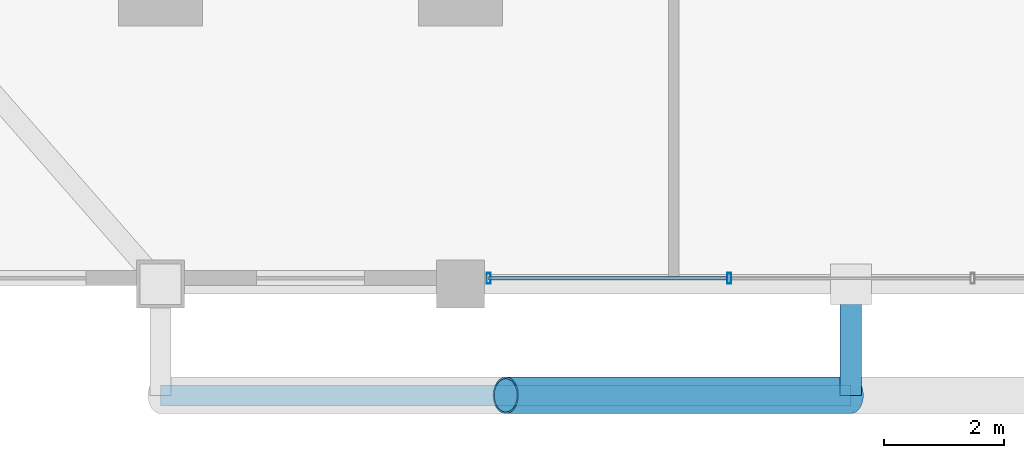
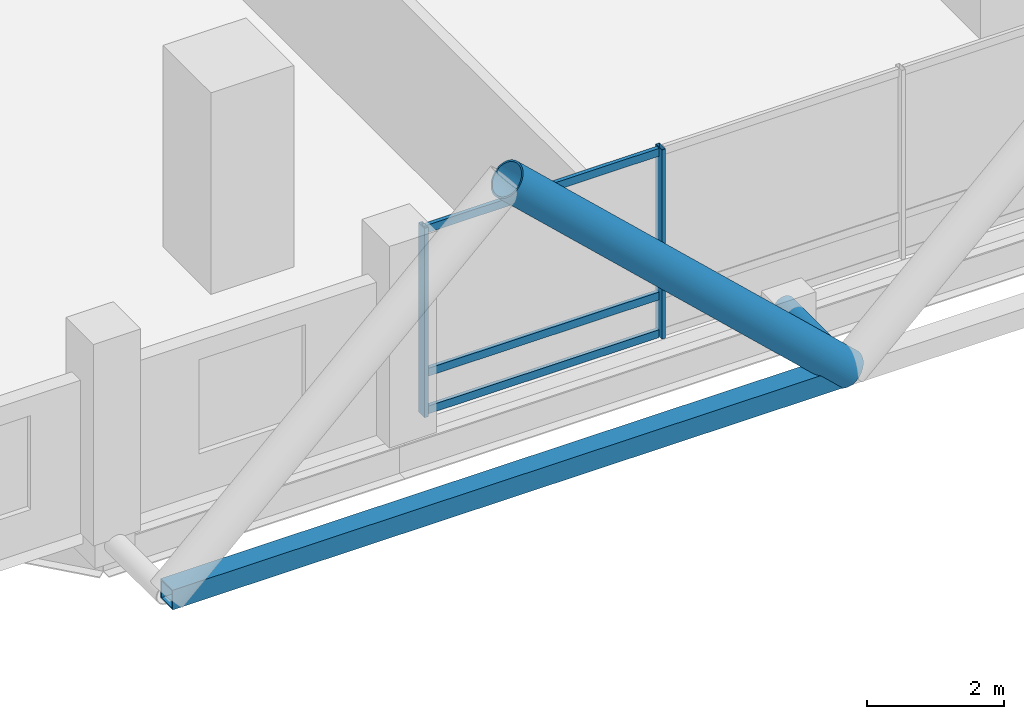
# One storey, part 2 of 26: 8 members, 1 element without a shape of its own.
"""IFC4 building model written with IfcOpenShell, lengths in metres."""

from ifc_helpers import new_model, si_unit, direction, frame, origin, origin_2d, place, context, subcontext, project, spatial, hollow_rectangle, hollow_circle, extrude, material, layer, layer_set, material_profile, profile_set, type_object, element, aggregate, save


model = new_model("IFC4")

# Units and contexts
model_context = context("Model", 3, precision=1e-05, world=origin(), true_north=direction((0.0, 1.0)))
body_context = subcontext(model_context, "Body", "Model", "MODEL_VIEW")
ifc_project = project(units=[si_unit("LENGTHUNIT", "METRE"), si_unit("AREAUNIT", "SQUARE_METRE"), si_unit("VOLUMEUNIT", "CUBIC_METRE"), si_unit("PLANEANGLEUNIT", "RADIAN"), si_unit("MASSUNIT", "GRAM", prefix="KILO")], contexts=[model_context])

# Site, building, storey
site_placement = place(None, origin())
site = spatial("IfcSite", under=ifc_project, at=site_placement, CompositionType="ELEMENT")
building_placement = place(site_placement, origin())
building = spatial("IfcBuilding", under=site, at=building_placement, Name="Barlavira Tower and Art Museum", CompositionType="ELEMENT")
storey_placement = place(building_placement, frame((0.0, 0.0, 82.800048828125)))
storey = spatial("IfcBuildingStorey", under=building, at=storey_placement, Name="L20", CompositionType="ELEMENT", Elevation=82.800048828125)

# Curtain wall, members
ifc_material_1 = material(Name="Low-iron coastal laminated glass", Category="glass")
ifc_layer = layer(ifc_material_1, 0.179931640625, Name="Low-iron coastal laminated glass")
ifc_layer_set = layer_set([ifc_layer], Name="Low-iron coastal laminated glass")
curtain_wall_type = type_object("IfcCurtainWallType", Name="Pale-Metal Unitised Curtain Wall Zone 1", PredefinedType="NOTDEFINED", material=ifc_layer_set)
curtain_wall_placement = place(storey_placement, origin())
curtain_wall = element("IfcCurtainWall", 1, at=curtain_wall_placement, inside=storey, type_object=curtain_wall_type, Name="L20 Curtain Wall CW1-L20-S-B3", PredefinedType="NOTDEFINED")
ifc_material_2 = material(Name="Pale anodised aluminium", Category="aluminium")
ifc_material_profile_1 = material_profile(ifc_material_2, hollow_rectangle(XDim=0.06494140625, YDim=0.179931640625, WallThickness=0.00390625, at=origin_2d()), Name="ALU-MULL 65x180x4")
ifc_profile_set_1 = profile_set([ifc_material_profile_1], Name="Pale anodised aluminium")
member_type_1 = type_object("IfcMemberType", Name="Curtain Wall Pale-Metal Mullion 65x180", PredefinedType="MULLION", material=ifc_profile_set_1)
member_1_placement = place(storey_placement, frame((-6.034912109375, -24.89990234375, 0.0), z_axis=(0.0, 0.0, 1.0), x_axis=(1.0, 0.0, 0.0)))
member_1 = element("IfcMember", 2, at=member_1_placement, type_object=member_type_1, Name="CW1-L20-S-B3 Mullion 0", PredefinedType="MULLION", context=body_context, shape_type="SweptSolid", body=[
    extrude(hollow_rectangle(XDim=0.06494140625, YDim=0.179931640625, WallThickness=0.00390625, at=origin_2d()), origin(), (0.0, 0.0, 1.0), 3.3798828125),
])
member_2_placement = place(storey_placement, frame((-2.026611328125, -24.89990234375, 0.0), z_axis=(0.0, 0.0, 1.0), x_axis=(1.0, 0.0, 0.0)))
member_2 = element("IfcMember", 3, at=member_2_placement, type_object=member_type_1, Name="CW1-L20-S-B3 Mullion 1", PredefinedType="MULLION", context=body_context, shape_type="SweptSolid", body=[
    extrude(hollow_rectangle(XDim=0.06494140625, YDim=0.179931640625, WallThickness=0.00390625, at=origin_2d()), origin(), (0.0, 0.0, 1.0), 3.3798828125),
])
ifc_material_profile_2 = material_profile(ifc_material_2, hollow_rectangle(XDim=0.06494140625, YDim=0.139892578125, WallThickness=0.00390625, at=origin_2d()), Name="ALU-TRAN 65x140x4")
ifc_profile_set_2 = profile_set([ifc_material_profile_2], Name="Pale anodised aluminium")
member_type_2 = type_object("IfcMemberType", Name="Curtain Wall Pale-Metal Transom 65x140", PredefinedType="USERDEFINED", material=ifc_profile_set_2)
member_3_placement = place(storey_placement, frame((-6.034912109375, -24.89990234375, 0.070068359375), z_axis=(1.0, 0.0, 0.0), x_axis=(0.0, 1.0, 0.0)))
member_3 = element("IfcMember", 4, at=member_3_placement, type_object=member_type_2, Name="CW1-L20-S-B3 Transom 0.1", ObjectType="TRANSOM", PredefinedType="USERDEFINED", context=body_context, shape_type="SweptSolid", body=[
    extrude(hollow_rectangle(XDim=0.06494140625, YDim=0.139892578125, WallThickness=0.00390625, at=origin_2d()), origin(), (0.0, 0.0, 1.0), 3.963134765625),
])
member_4_placement = place(storey_placement, frame((-6.034912109375, -24.89990234375, 0.743896484375), z_axis=(1.0, 0.0, 0.0), x_axis=(0.0, 1.0, 0.0)))
member_4 = element("IfcMember", 5, at=member_4_placement, type_object=member_type_2, Name="CW1-L20-S-B3 Transom 0.2", ObjectType="TRANSOM", PredefinedType="USERDEFINED", context=body_context, shape_type="SweptSolid", body=[
    extrude(hollow_rectangle(XDim=0.06494140625, YDim=0.139892578125, WallThickness=0.00390625, at=origin_2d()), origin(), (0.0, 0.0, 1.0), 3.963134765625),
])
member_5_placement = place(storey_placement, frame((-6.034912109375, -24.89990234375, 3.31005859375), z_axis=(1.0, 0.0, 0.0), x_axis=(0.0, 1.0, 0.0)))
member_5 = element("IfcMember", 6, at=member_5_placement, type_object=member_type_2, Name="CW1-L20-S-B3 Transom 0.3", ObjectType="TRANSOM", PredefinedType="USERDEFINED", context=body_context, shape_type="SweptSolid", body=[
    extrude(hollow_rectangle(XDim=0.06494140625, YDim=0.139892578125, WallThickness=0.00390625, at=origin_2d()), origin(), (0.0, 0.0, 1.0), 3.963134765625),
])
aggregate(curtain_wall, [member_1, member_2, member_3, member_4, member_5])

# Members
ifc_material_3 = material(Name="Steel S355", Category="steel")
ifc_material_profile_3 = material_profile(ifc_material_3, hollow_circle(Radius=0.304931640625, WallThickness=0.028076171875, at=origin_2d()), Name="CHS 610.0x28.0")
ifc_profile_set_3 = profile_set([ifc_material_profile_3], Name="Steel S355")
member_type_3 = type_object("IfcMemberType", Name="Pale-Metal Exoskeleton Diagrid Tube CHS 610x28 Steel S355", PredefinedType="BRACE", material=ifc_profile_set_3)
member_6_placement = place(storey_placement, frame((0.0, -26.85009765625, -0.1201171875), z_axis=(-0.728934650808, 0.0, 0.684583285548), x_axis=(0.0, -1.0, 0.0)))
element("IfcMember", 7, at=member_6_placement, inside=storey, type_object=member_type_3, Name="L20 Exoskeleton Diagrid Tube S", PredefinedType="BRACE", context=body_context, shape_type="SweptSolid", body=[
    extrude(hollow_circle(Radius=0.304931640625, WallThickness=0.028076171875, at=origin_2d()), origin(), (0.0, 0.0, 1.0), 7.88818359375),
])
ifc_material_profile_4 = material_profile(ifc_material_3, hollow_rectangle(XDim=0.35009765625, YDim=0.35009765625, WallThickness=0.02001953125, at=origin_2d()), Name="SHS 350x350x20.0")
ifc_profile_set_4 = profile_set([ifc_material_profile_4], Name="Steel S355")
member_type_4 = type_object("IfcMemberType", Name="Pale-Metal Exoskeleton Ring Strut SHS 350x350x20 Steel S355", PredefinedType="STRUT", material=ifc_profile_set_4)
member_7_placement = place(storey_placement, frame((-11.5, -26.85009765625, -0.1201171875), z_axis=(1.0, 0.0, 0.0), x_axis=(0.0, 1.0, 0.0)))
element("IfcMember", 8, at=member_7_placement, inside=storey, type_object=member_type_4, Name="L20 Exoskeleton Ring Strut S", PredefinedType="STRUT", context=body_context, shape_type="SweptSolid", body=[
    extrude(hollow_rectangle(XDim=0.35009765625, YDim=0.35009765625, WallThickness=0.02001953125, at=origin_2d()), origin(), (0.0, 0.0, 1.0), 11.5),
])
ifc_material_profile_5 = material_profile(ifc_material_3, hollow_circle(Radius=0.177734375, WallThickness=0.01611328125, at=origin_2d()), Name="CHS 355.6x16.0")
ifc_profile_set_5 = profile_set([ifc_material_profile_5], Name="Steel S355")
member_type_5 = type_object("IfcMemberType", Name="Pale-Metal Exoskeleton Tie Strut CHS 356x16 Steel S355", PredefinedType="STRUT", material=ifc_profile_set_5)
member_8_placement = place(storey_placement, frame((0.0, -26.85009765625, -0.1201171875), z_axis=(0.0, 1.0, 0.0), x_axis=(-1.0, 0.0, 0.0)))
element("IfcMember", 9, at=member_8_placement, inside=storey, type_object=member_type_5, Name="L20 Exoskeleton Tie Strut S2", PredefinedType="STRUT", context=body_context, shape_type="SweptSolid", body=[
    extrude(hollow_circle(Radius=0.177734375, WallThickness=0.01611328125, at=origin_2d()), origin(), (0.0, 0.0, 1.0), 1.85009765625),
])

save(model, "model.ifc")
